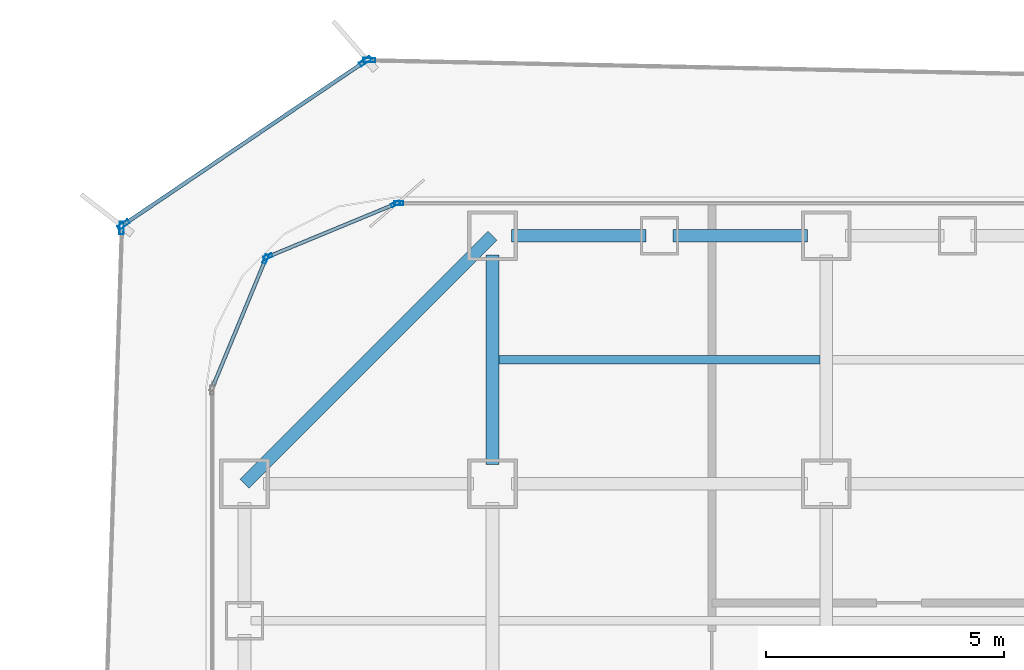
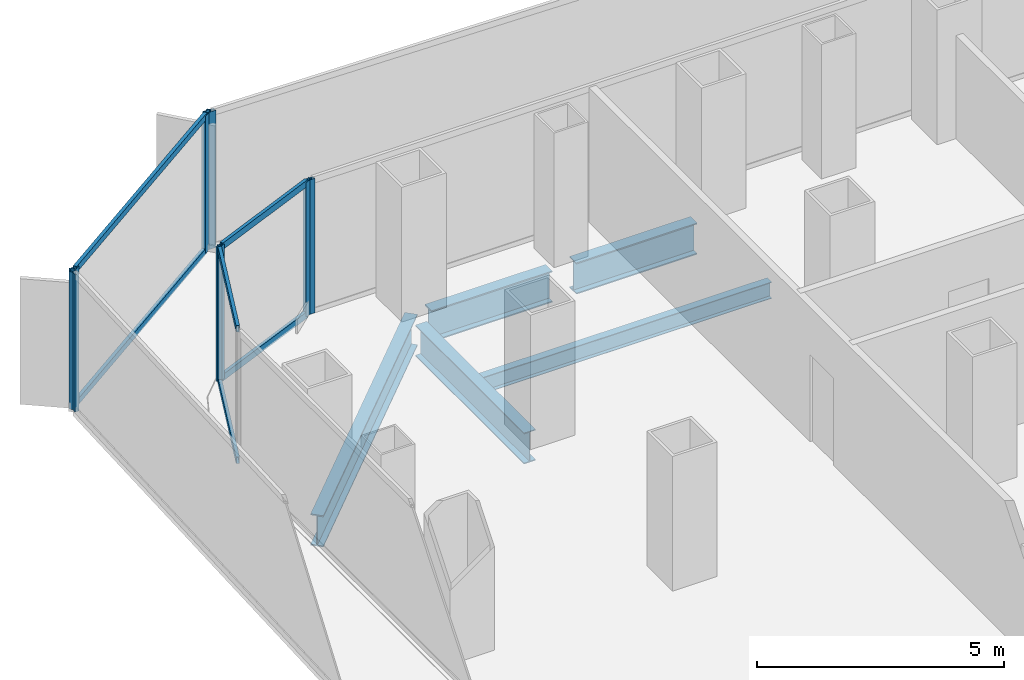
# One storey, part 11 of 21: 14 members, 5 beams, 6 elements without a shape of their own.
"""IFC4 building model written with IfcOpenShell, lengths in metres."""

from ifc_helpers import new_model, si_unit, direction, frame, origin, origin_2d, place, context, subcontext, project, spatial, hollow_rectangle, i_section, extrude, source, transform, mapped, material, layer, layer_set, material_profile, profile_set, type_object, element, aggregate, save


model = new_model("IFC4")

# Units and contexts
model_context = context("Model", 3, precision=1e-05, world=origin(), true_north=direction((0.0, 1.0)))
body_context = subcontext(model_context, "Body", "Model", "MODEL_VIEW")
ifc_project = project(units=[si_unit("LENGTHUNIT", "METRE"), si_unit("AREAUNIT", "SQUARE_METRE"), si_unit("VOLUMEUNIT", "CUBIC_METRE"), si_unit("PLANEANGLEUNIT", "RADIAN"), si_unit("MASSUNIT", "GRAM", prefix="KILO")], contexts=[model_context])

# Site, building, storey
site_placement = place(None, origin())
site = spatial("IfcSite", under=ifc_project, at=site_placement, CompositionType="ELEMENT")
building_placement = place(site_placement, origin())
building = spatial("IfcBuilding", under=site, at=building_placement, Name="Kolveth Station Tower", CompositionType="ELEMENT")
storey_placement = place(building_placement, frame((0.0, 0.0, 47.699951171875)))
storey = spatial("IfcBuildingStorey", under=building, at=storey_placement, Name="L12", CompositionType="ELEMENT", Elevation=47.699951171875)

# Beams
ifc_material_1 = material(Name="Steel S355", Category="steel")
ifc_material_profile_1 = material_profile(ifc_material_1, i_section(OverallWidth=0.26904296875, OverallDepth=0.77490234375, WebThickness=0.01708984375, FlangeThickness=0.0283203125, at=origin_2d()), Name="W760x220")
ifc_profile_set_1 = profile_set([ifc_material_profile_1], Name="Steel S355")
beam_type_1 = type_object("IfcBeamType", Name="Beam_SP1", PredefinedType="SPANDREL", material=ifc_profile_set_1)
shared_shape_1 = source(origin(), body_context, "Body", "SweptSolid", [
    extrude(i_section(OverallWidth=0.26904296875, OverallDepth=0.77490234375, WebThickness=0.01708984375, FlangeThickness=0.0283203125, at=origin_2d()), origin(), (0.0, 0.0, 1.0), 7.353759765625),
])
beam_1_placement = place(storey_placement, frame((6.0, 39.699951171875, -0.66748046875), z_axis=(-0.707106781187, -0.707106781187, 0.0), x_axis=(0.707106781187, -0.707106781187, 0.0)))
element("IfcBeam", 1, at=beam_1_placement, inside=storey, type_object=beam_type_1, Name="L12 Corner Edge Girder BM-L12-CNR-NW", PredefinedType="SPANDREL", context=body_context, shape_type="MappedRepresentation", body=[
    mapped(shared_shape_1, transform((0.0, 0.0, 0.0), x_axis=(1.0, 0.0, 0.0), y_axis=(0.0, 1.0, 0.0), z_axis=(0.0, 0.0, 1.0), scale=1.0)),
])
shared_shape_2 = source(origin(), body_context, "Body", "SweptSolid", [
    extrude(i_section(OverallWidth=0.26904296875, OverallDepth=0.77490234375, WebThickness=0.01708984375, FlangeThickness=0.0283203125, at=origin_2d()), origin(), (0.0, 0.0, 1.0), 2.820068359375),
])
for number, where, z_axis, x_axis, name in (
    (2, (6.39990234375, 39.699951171875, -0.66748046875), (1.0, 0.0, 0.0), (0.0, 1.0, 0.0), "L12 Perimeter Spandrel BM-L12-PN-1"),
    (3, (9.780029296875, 39.699951171875, -0.66748046875), (1.0, 0.0, 0.0), (0.0, 1.0, 0.0), "L12 Perimeter Spandrel BM-L12-PN-2"),
):
    element("IfcBeam", number, at=place(storey_placement, frame(where, z_axis=z_axis, x_axis=x_axis)), inside=storey, type_object=beam_type_1, Name=name, PredefinedType="SPANDREL", context=body_context, shape_type="MappedRepresentation", body=[
        mapped(shared_shape_2, transform((0.0, 0.0, 0.0), x_axis=(1.0, 0.0, 0.0), y_axis=(0.0, 1.0, 0.0), z_axis=(0.0, 0.0, 1.0), scale=1.0)),
    ])
ifc_material_profile_2 = material_profile(ifc_material_1, i_section(OverallWidth=0.26708984375, OverallDepth=0.76611328125, WebThickness=0.014892578125, FlangeThickness=0.023681640625, at=origin_2d()), Name="W760x185")
ifc_profile_set_2 = profile_set([ifc_material_profile_2], Name="Steel S355")
beam_type_2 = type_object("IfcBeamType", Name="Beam_B3", PredefinedType="BEAM", material=ifc_profile_set_2)
shared_shape_3 = source(origin(), body_context, "Body", "SweptSolid", [
    extrude(i_section(OverallWidth=0.26708984375, OverallDepth=0.76611328125, WebThickness=0.014892578125, FlangeThickness=0.023681640625, at=origin_2d()), origin(), (0.0, 0.0, 1.0), 4.400146484375),
])
beam_2_placement = place(storey_placement, frame((6.0, 34.89990234375, -0.662841796875), z_axis=(0.0, 1.0, 0.0), x_axis=(-1.0, 0.0, 0.0)))
element("IfcBeam", 4, at=beam_2_placement, inside=storey, type_object=beam_type_2, Name="L12 Primary Girder BM-L12-GX60-7", PredefinedType="BEAM", context=body_context, shape_type="MappedRepresentation", body=[
    mapped(shared_shape_3, transform((0.0, 0.0, 0.0), x_axis=(1.0, 0.0, 0.0), y_axis=(0.0, 1.0, 0.0), z_axis=(0.0, 0.0, 1.0), scale=1.0)),
])
ifc_material_profile_3 = material_profile(ifc_material_1, i_section(OverallWidth=0.177978515625, OverallDepth=0.406982421875, WebThickness=0.0078125, FlangeThickness=0.0126953125, at=origin_2d()), Name="W410x60")
ifc_profile_set_3 = profile_set([ifc_material_profile_3], Name="Steel S355")
beam_type_3 = type_object("IfcBeamType", Name="Beam_J1", PredefinedType="JOIST", material=ifc_profile_set_3)
shared_shape_4 = source(origin(), body_context, "Body", "SweptSolid", [
    extrude(i_section(OverallWidth=0.177978515625, OverallDepth=0.406982421875, WebThickness=0.0078125, FlangeThickness=0.0126953125, at=origin_2d()), origin(), (0.0, 0.0, 1.0), 6.73681640625),
])
beam_3_placement = place(storey_placement, frame((6.131591796875, 37.10009765625, -0.4833984375), z_axis=(1.0, 0.0, 0.0), x_axis=(0.0, 1.0, 0.0)))
element("IfcBeam", 5, at=beam_3_placement, inside=storey, type_object=beam_type_3, Name="L12 Secondary Joist JST-L12-2-7", PredefinedType="JOIST", context=body_context, shape_type="MappedRepresentation", body=[
    mapped(shared_shape_4, transform((0.0, 0.0, 0.0), x_axis=(1.0, 0.0, 0.0), y_axis=(0.0, 1.0, 0.0), z_axis=(0.0, 0.0, 1.0), scale=1.0)),
])

# Curtain wall, member
ifc_material_2 = material(Name="Aluminium 6063-T6 and low-E dark glass", Category="aluminium")
ifc_layer_1 = layer(ifc_material_2, 0.179931640625)
ifc_layer_set_1 = layer_set([ifc_layer_1], Name="Aluminium 6063-T6 and low-E dark glass")
curtain_wall_type_1 = type_object("IfcCurtainWallType", Name="CurtainWall_CW-Z1", PredefinedType="NOTDEFINED", material=ifc_layer_set_1)
curtain_wall_1_placement = place(storey_placement, origin())
curtain_wall_1 = element("IfcCurtainWall", 6, at=curtain_wall_1_placement, inside=storey, type_object=curtain_wall_type_1, Name="L12 Inner Thermal Curtain Wall 6", PredefinedType="NOTDEFINED")
ifc_material_3 = material(Name="Black anodized aluminium 6063-T6", Category="aluminium")
ifc_material_profile_4 = material_profile(ifc_material_3, hollow_rectangle(XDim=0.074951171875, YDim=0.18994140625, WallThickness=0.0048828125, at=origin_2d()), Name="ALU-75x190x5")
ifc_profile_set_4 = profile_set([ifc_material_profile_4], Name="Black anodized aluminium 6063-T6")
member_type_1 = type_object("IfcMemberType", Name="Mullion_ML1", PredefinedType="MULLION", material=ifc_profile_set_4)
shared_shape_5 = source(origin(), body_context, "Body", "SweptSolid", [
    extrude(hollow_rectangle(XDim=0.074951171875, YDim=0.18994140625, WallThickness=0.0048828125, at=origin_2d()), origin(), (0.0, 0.0, 1.0), 3.320068359375),
])
member_1_placement = place(storey_placement, frame((4.03759765625, 40.3798828125, 0.0), z_axis=(0.0, 0.0, 1.0), x_axis=(0.0, -1.0, 0.0)))
member_1 = element("IfcMember", 7, at=member_1_placement, type_object=member_type_1, Name="CW-Z1 mullion 3", PredefinedType="MULLION", context=body_context, shape_type="MappedRepresentation", body=[
    mapped(shared_shape_5, transform((0.0, 0.0, 0.0), x_axis=(1.0, 0.0, 0.0), y_axis=(0.0, 1.0, 0.0), z_axis=(0.0, 0.0, 1.0), scale=1.0)),
])
aggregate(curtain_wall_1, [member_1])

# Curtain wall, members
curtain_wall_2_placement = place(storey_placement, origin())
curtain_wall_2 = element("IfcCurtainWall", 8, at=curtain_wall_2_placement, inside=storey, type_object=curtain_wall_type_1, Name="L12 Inner Thermal Curtain Wall 7", PredefinedType="NOTDEFINED")
member_2_placement = place(storey_placement, frame((3.96533203125, 40.36572265625, 0.0), z_axis=(0.0, 0.0, 1.0), x_axis=(0.382672990201, -0.923883857728, 0.0)))
member_2 = element("IfcMember", 9, at=member_2_placement, type_object=member_type_1, Name="CW-Z1 mullion 1", PredefinedType="MULLION", context=body_context, shape_type="MappedRepresentation", body=[
    mapped(shared_shape_5, transform((0.0, 0.0, 0.0), x_axis=(1.0, 0.0, 0.0), y_axis=(0.0, 1.0, 0.0), z_axis=(0.0, 0.0, 1.0), scale=1.0)),
])
member_3_placement = place(storey_placement, frame((1.291015625, 39.258056640625, 0.0), z_axis=(0.0, 0.0, 1.0), x_axis=(0.382672990201, -0.923883857728, 0.0)))
member_3 = element("IfcMember", 10, at=member_3_placement, type_object=member_type_1, Name="CW-Z1 mullion 2", PredefinedType="MULLION", context=body_context, shape_type="MappedRepresentation", body=[
    mapped(shared_shape_5, transform((0.0, 0.0, 0.0), x_axis=(1.0, 0.0, 0.0), y_axis=(0.0, 1.0, 0.0), z_axis=(0.0, 0.0, 1.0), scale=1.0)),
])

# Curtain wall, member
curtain_wall_3_placement = place(storey_placement, origin())
curtain_wall_3 = element("IfcCurtainWall", 11, at=curtain_wall_3_placement, inside=storey, type_object=curtain_wall_type_1, Name="L12 Inner Thermal Curtain Wall 8", PredefinedType="NOTDEFINED")
member_4_placement = place(storey_placement, frame((1.241943359375, 39.208984375, 0.0), z_axis=(0.0, 0.0, 1.0), x_axis=(0.923883857728, -0.382672990201, 0.0)))
member_4 = element("IfcMember", 12, at=member_4_placement, type_object=member_type_1, Name="CW-Z1 mullion 1", PredefinedType="MULLION", context=body_context, shape_type="MappedRepresentation", body=[
    mapped(shared_shape_5, transform((0.0, 0.0, 0.0), x_axis=(1.0, 0.0, 0.0), y_axis=(0.0, 1.0, 0.0), z_axis=(0.0, 0.0, 1.0), scale=1.0)),
])

# Member
ifc_material_profile_5 = material_profile(ifc_material_3, hollow_rectangle(XDim=0.074951171875, YDim=0.159912109375, WallThickness=0.0048828125, at=origin_2d()), Name="ALU-75x160x5")
ifc_profile_set_5 = profile_set([ifc_material_profile_5], Name="Black anodized aluminium 6063-T6")
member_type_2 = type_object("IfcMemberType", Name="Transom_TR1", PredefinedType="USERDEFINED", material=ifc_profile_set_5)
shared_shape_6 = source(origin(), body_context, "Body", "SweptSolid", [
    extrude(hollow_rectangle(XDim=0.074951171875, YDim=0.159912109375, WallThickness=0.0048828125, at=origin_2d()), origin(), (0.0, 0.0, 1.0), 2.819580078125),
])
member_5_placement = place(storey_placement, frame((3.9306640625, 40.351318359375, 0.03759765625), z_axis=(-0.923869084389, -0.382708655389, 0.0), x_axis=(0.382708655389, -0.923869084389, 0.0)))
member_5 = element("IfcMember", 13, at=member_5_placement, type_object=member_type_2, Name="CW-Z1 transom 1.1", ObjectType="TRANSOM", PredefinedType="USERDEFINED", context=body_context, shape_type="MappedRepresentation", body=[
    mapped(shared_shape_6, transform((0.0, 0.0, 0.0), x_axis=(1.0, 0.0, 0.0), y_axis=(0.0, 1.0, 0.0), z_axis=(0.0, 0.0, 1.0), scale=1.0)),
])

member_6_placement = place(storey_placement, frame((3.9306640625, 40.351318359375, 3.282470703125), z_axis=(-0.923869084389, -0.382708655389, 0.0), x_axis=(0.382708655389, -0.923869084389, 0.0)))
member_6 = element("IfcMember", 14, at=member_6_placement, type_object=member_type_2, Name="CW-Z1 transom 1.2", ObjectType="TRANSOM", PredefinedType="USERDEFINED", context=body_context, shape_type="MappedRepresentation", body=[
    mapped(shared_shape_6, transform((0.0, 0.0, 0.0), x_axis=(1.0, 0.0, 0.0), y_axis=(0.0, 1.0, 0.0), z_axis=(0.0, 0.0, 1.0), scale=1.0)),
])

aggregate(curtain_wall_2, [member_2, member_3, member_5, member_6])

member_7_placement = place(storey_placement, frame((1.227783203125, 39.17431640625, 0.03759765625), z_axis=(-0.382708655389, -0.923869084389, 0.0), x_axis=(0.923869084389, -0.382708655389, 0.0)))
member_7 = element("IfcMember", 15, at=member_7_placement, type_object=member_type_2, Name="CW-Z1 transom 1.1", ObjectType="TRANSOM", PredefinedType="USERDEFINED", context=body_context, shape_type="MappedRepresentation", body=[
    mapped(shared_shape_6, transform((0.0, 0.0, 0.0), x_axis=(1.0, 0.0, 0.0), y_axis=(0.0, 1.0, 0.0), z_axis=(0.0, 0.0, 1.0), scale=1.0)),
])

member_8_placement = place(storey_placement, frame((1.227783203125, 39.17431640625, 3.282470703125), z_axis=(-0.382708655389, -0.923869084389, 0.0), x_axis=(0.923869084389, -0.382708655389, 0.0)))
member_8 = element("IfcMember", 16, at=member_8_placement, type_object=member_type_2, Name="CW-Z1 transom 1.2", ObjectType="TRANSOM", PredefinedType="USERDEFINED", context=body_context, shape_type="MappedRepresentation", body=[
    mapped(shared_shape_6, transform((0.0, 0.0, 0.0), x_axis=(1.0, 0.0, 0.0), y_axis=(0.0, 1.0, 0.0), z_axis=(0.0, 0.0, 1.0), scale=1.0)),
])

aggregate(curtain_wall_3, [member_4, member_7, member_8])

# Curtain wall, member
ifc_material_4 = material(Name="Black anodized aluminium 6063-T6 and dark solar glass", Category="aluminium")
ifc_layer_2 = layer(ifc_material_4, 0.159912109375)
ifc_layer_set_2 = layer_set([ifc_layer_2], Name="Black anodized aluminium 6063-T6 and dark solar glass")
curtain_wall_type_2 = type_object("IfcCurtainWallType", Name="OUTER SKIN CW-OS", PredefinedType="NOTDEFINED", material=ifc_layer_set_2)
curtain_wall_4_placement = place(storey_placement, origin())
curtain_wall_4 = element("IfcCurtainWall", 17, at=curtain_wall_4_placement, inside=storey, type_object=curtain_wall_type_2, Name="L12 Outer Ventilated Skin Curtain Wall 4", PredefinedType="NOTDEFINED")
ifc_material_profile_6 = material_profile(ifc_material_3, hollow_rectangle(XDim=0.090087890625, YDim=0.260009765625, WallThickness=0.0048828125, at=origin_2d()), Name="ALU-90x260x5")
ifc_profile_set_6 = profile_set([ifc_material_profile_6], Name="Black anodized aluminium 6063-T6")
member_type_3 = type_object("IfcMemberType", Name="FIN MULLION ML-OS", PredefinedType="MULLION", material=ifc_profile_set_6)
shared_shape_7 = source(origin(), body_context, "Body", "SweptSolid", [
    extrude(hollow_rectangle(XDim=0.090087890625, YDim=0.260009765625, WallThickness=0.0048828125, at=origin_2d()), origin(), (0.0, 0.0, 1.0), 3.39013671875),
])
member_9_placement = place(storey_placement, frame((3.414794921875, 43.3818359375, 0.0), z_axis=(0.0, 0.0, 1.0), x_axis=(-0.020672442697, -0.999786302223, 0.0)))
member_9 = element("IfcMember", 18, at=member_9_placement, type_object=member_type_3, Name="CW-OS mullion 2", PredefinedType="MULLION", context=body_context, shape_type="MappedRepresentation", body=[
    mapped(shared_shape_7, transform((0.0, 0.0, 0.0), x_axis=(1.0, 0.0, 0.0), y_axis=(0.0, 1.0, 0.0), z_axis=(0.0, 0.0, 1.0), scale=1.0)),
])
aggregate(curtain_wall_4, [member_9])

# Curtain wall, members
curtain_wall_5_placement = place(storey_placement, origin())
curtain_wall_5 = element("IfcCurtainWall", 19, at=curtain_wall_5_placement, inside=storey, type_object=curtain_wall_type_2, Name="L12 Outer Ventilated Skin Curtain Wall 5", PredefinedType="NOTDEFINED")
member_10_placement = place(storey_placement, frame((3.33251953125, 43.357666015625, 0.0), z_axis=(0.0, 0.0, 1.0), x_axis=(0.560025334673, -0.82847548215, 0.0)))
member_10 = element("IfcMember", 20, at=member_10_placement, type_object=member_type_3, Name="CW-OS mullion 1", PredefinedType="MULLION", context=body_context, shape_type="MappedRepresentation", body=[
    mapped(shared_shape_7, transform((0.0, 0.0, 0.0), x_axis=(1.0, 0.0, 0.0), y_axis=(0.0, 1.0, 0.0), z_axis=(0.0, 0.0, 1.0), scale=1.0)),
])
member_11_placement = place(storey_placement, frame((-1.737548828125, 39.930419921875, 0.0), z_axis=(0.0, 0.0, 1.0), x_axis=(0.560025334673, -0.82847548215, 0.0)))
member_11 = element("IfcMember", 21, at=member_11_placement, type_object=member_type_3, Name="CW-OS mullion 2", PredefinedType="MULLION", context=body_context, shape_type="MappedRepresentation", body=[
    mapped(shared_shape_7, transform((0.0, 0.0, 0.0), x_axis=(1.0, 0.0, 0.0), y_axis=(0.0, 1.0, 0.0), z_axis=(0.0, 0.0, 1.0), scale=1.0)),
])

# Curtain wall, member
curtain_wall_6_placement = place(storey_placement, origin())
curtain_wall_6 = element("IfcCurtainWall", 22, at=curtain_wall_6_placement, inside=storey, type_object=curtain_wall_type_2, Name="L12 Outer Ventilated Skin Curtain Wall 6", PredefinedType="NOTDEFINED")
member_12_placement = place(storey_placement, frame((-1.7763671875, 39.860107421875, 0.0), z_axis=(0.0, 0.0, 1.0), x_axis=(0.999457319314, -0.032940353211, 0.0)))
member_12 = element("IfcMember", 23, at=member_12_placement, type_object=member_type_3, Name="CW-OS mullion 1", PredefinedType="MULLION", context=body_context, shape_type="MappedRepresentation", body=[
    mapped(shared_shape_7, transform((0.0, 0.0, 0.0), x_axis=(1.0, 0.0, 0.0), y_axis=(0.0, 1.0, 0.0), z_axis=(0.0, 0.0, 1.0), scale=1.0)),
])
aggregate(curtain_wall_6, [member_12])

# Member
ifc_material_profile_7 = material_profile(ifc_material_3, hollow_rectangle(XDim=0.080078125, YDim=0.14990234375, WallThickness=0.0048828125, at=origin_2d()), Name="ALU-80x150x5")
ifc_profile_set_7 = profile_set([ifc_material_profile_7], Name="Black anodized aluminium 6063-T6")
member_type_4 = type_object("IfcMemberType", Name="Transom_TR-OS", PredefinedType="USERDEFINED", material=ifc_profile_set_7)
shared_shape_8 = source(origin(), body_context, "Body", "SweptSolid", [
    extrude(hollow_rectangle(XDim=0.080078125, YDim=0.14990234375, WallThickness=0.0048828125, at=origin_2d()), origin(), (0.0, 0.0, 1.0), 6.02978515625),
])
member_13_placement = place(storey_placement, frame((3.295166015625, 43.33251953125, 0.0400390625), z_axis=(-0.828457466362, -0.560051985471, 0.0), x_axis=(0.560051985471, -0.828457466362, 0.0)))
member_13 = element("IfcMember", 24, at=member_13_placement, type_object=member_type_4, Name="CW-OS transom 1.1", ObjectType="TRANSOM", PredefinedType="USERDEFINED", context=body_context, shape_type="MappedRepresentation", body=[
    mapped(shared_shape_8, transform((0.0, 0.0, 0.0), x_axis=(1.0, 0.0, 0.0), y_axis=(0.0, 1.0, 0.0), z_axis=(0.0, 0.0, 1.0), scale=1.0)),
])

member_14_placement = place(storey_placement, frame((3.295166015625, 43.33251953125, 3.35009765625), z_axis=(-0.828457466362, -0.560051985471, 0.0), x_axis=(0.560051985471, -0.828457466362, 0.0)))
member_14 = element("IfcMember", 25, at=member_14_placement, type_object=member_type_4, Name="CW-OS transom 1.2", ObjectType="TRANSOM", PredefinedType="USERDEFINED", context=body_context, shape_type="MappedRepresentation", body=[
    mapped(shared_shape_8, transform((0.0, 0.0, 0.0), x_axis=(1.0, 0.0, 0.0), y_axis=(0.0, 1.0, 0.0), z_axis=(0.0, 0.0, 1.0), scale=1.0)),
])

aggregate(curtain_wall_5, [member_10, member_11, member_13, member_14])

save(model, "model.ifc")
